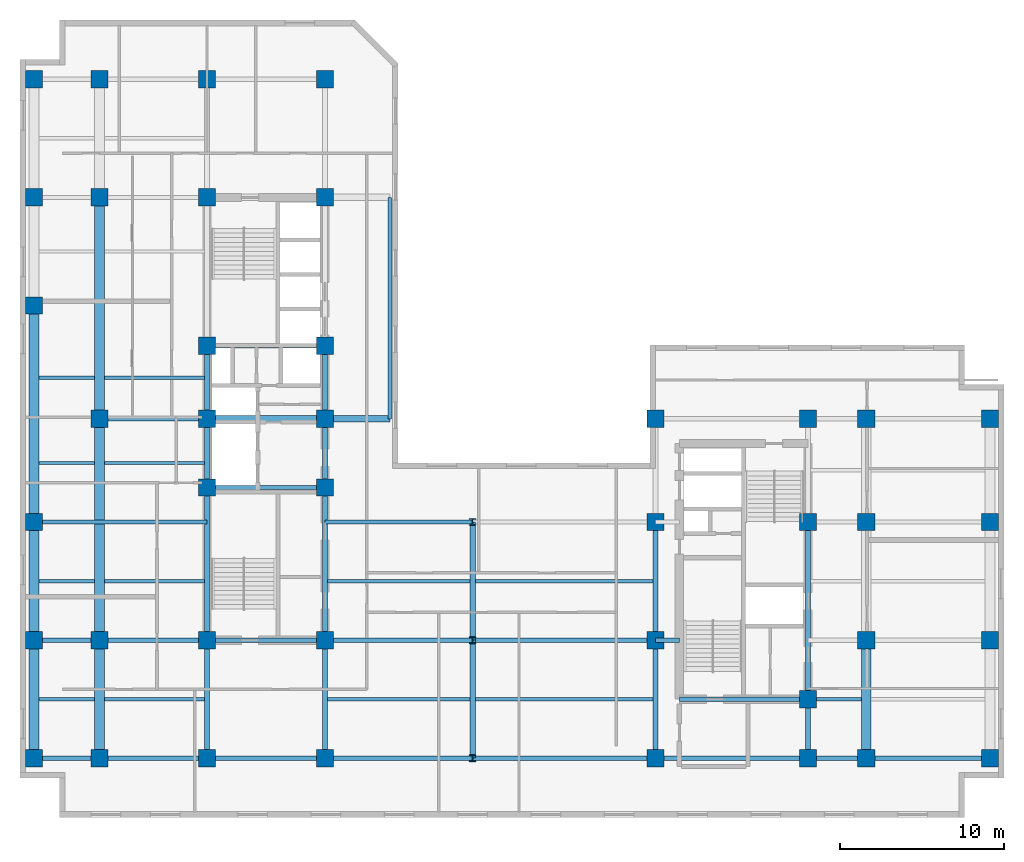
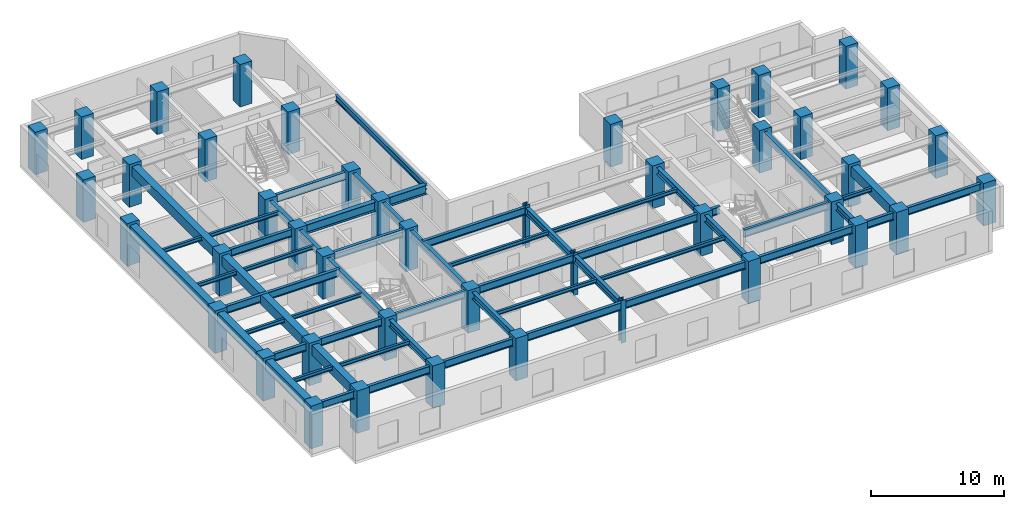
# One storey, part 1 of 10: 56 beams, 44 columns.
"""IFC4 building model written with IfcOpenShell, lengths in metres."""

from ifc_helpers import new_model, entity, si_unit, converted_unit, direction, frame, origin_with_axes, origin_2d_with_axis, place, context, subcontext, project, spatial, rectangle, i_section, extrude, material, material_profile, profile_set, type_object, element, save


model = new_model("IFC4")

# Units and contexts
model_context = context("Model", 3, precision=1e-05, world=origin_with_axes(), true_north=direction((0.0, 1.0)))
body_context = subcontext(model_context, "Body", "Model", "MODEL_VIEW")
ifc_project = project(units=[si_unit("LENGTHUNIT", "METRE"), si_unit("AREAUNIT", "SQUARE_METRE"), si_unit("VOLUMEUNIT", "CUBIC_METRE"), converted_unit("PLANEANGLEUNIT", "DEGREE", entity("IfcPlaneAngleMeasure", 0.017453292519943295), si_unit("PLANEANGLEUNIT", "RADIAN"), dimensions=[0, 0, 0, 0, 0, 0, 0]), si_unit("MASSUNIT", "GRAM", prefix="KILO"), si_unit("THERMODYNAMICTEMPERATUREUNIT", "KELVIN")], contexts=[model_context])

# Site, building, storey
site_placement = place(None, origin_with_axes())
site = spatial("IfcSite", under=ifc_project, at=site_placement, CompositionType="ELEMENT")
building_placement = place(site_placement, origin_with_axes())
building = spatial("IfcBuilding", under=site, at=building_placement, Name="Varnlund Millrace Tower", CompositionType="ELEMENT")
storey_placement = place(building_placement, frame((0.0, 0.0, 156.3), z_axis=(0.0, 0.0, 1.0), x_axis=(1.0, 0.0, 0.0)))
storey = spatial("IfcBuildingStorey", under=building, at=storey_placement, Name="L38", CompositionType="ELEMENT", Elevation=156.3)

# Columns
ifc_material_1 = material(Name="Steel ASTM A913 Grade 65", Category="steel")
ifc_material_profile_1 = material_profile(ifc_material_1, i_section(OverallWidth=0.406, OverallDepth=0.416, WebThickness=0.0298, FlangeThickness=0.048, FilletRadius=0.022, at=origin_2d_with_axis()), Name="Steel ASTM A913 Grade 65")
ifc_profile_set_1 = profile_set([ifc_material_profile_1], Name="Steel ASTM A913 Grade 65")
column_type_1 = type_object("IfcColumnType", Name="Type-Col-Int-W14X257", PredefinedType="COLUMN", material=ifc_profile_set_1)
for number, where, z_axis, x_axis, name in (
    (1, (27.6, 3.6, 0.0), (0.0, 0.0, 1.0), (1.0, 0.0, 0.0), "Type-Col-Int-W14X257"),
    (2, (27.6, 10.8, 0.0), (0.0, 0.0, 1.0), (1.0, 0.0, 0.0), "Type-Col-Int-W14X257"),
    (3, (27.6, 18.0, 0.0), (0.0, 0.0, 1.0), (1.0, 0.0, 0.0), "Type-Col-Int-W14X257"),
):
    element("IfcColumn", number, at=place(storey_placement, frame(where, z_axis=z_axis, x_axis=x_axis)), inside=storey, type_object=column_type_1, Name=name, PredefinedType="COLUMN", context=body_context, shape_type="SweptSolid", body=[
        extrude(i_section(OverallWidth=0.406, OverallDepth=0.416, WebThickness=0.0298, FlangeThickness=0.048, FilletRadius=0.022, at=origin_2d_with_axis()), origin_with_axes(), (0.0, 0.0, 1.0), 3.9),
    ])
ifc_material_2 = material(Name="Concrete C70/85", Category="concrete")
ifc_material_profile_2 = material_profile(ifc_material_2, rectangle(XDim=1.05, YDim=1.05, at=origin_2d_with_axis()), Name="Concrete C70/85")
ifc_profile_set_2 = profile_set([ifc_material_profile_2], Name="Concrete C70/85")
column_type_2 = type_object("IfcColumnType", Name="Type-Col-RC1050-C70", PredefinedType="COLUMN", material=ifc_profile_set_2)
for number, where, z_axis, x_axis, name in (
    (4, (11.4, 3.6, 0.0), (0.0, 0.0, 1.0), (1.0, 0.0, 0.0), "Type-Col-RC1050-C70"),
    (5, (11.4, 10.8, 0.0), (0.0, 0.0, 1.0), (1.0, 0.0, 0.0), "Type-Col-RC1050-C70"),
    (6, (11.4, 20.1, 0.0), (0.0, 0.0, 1.0), (1.0, 0.0, 0.0), "Type-Col-RC1050-C70"),
    (7, (11.4, 24.3, 0.0), (0.0, 0.0, 1.0), (1.0, 0.0, 0.0), "Type-Col-RC1050-C70"),
    (8, (11.4, 28.75, 0.0), (0.0, 0.0, 1.0), (1.0, 0.0, 0.0), "Type-Col-RC1050-C70"),
    (9, (11.4, 37.8, 0.0), (0.0, 0.0, 1.0), (1.0, 0.0, 0.0), "Type-Col-RC1050-C70"),
    (10, (11.4, 45.0, 0.0), (0.0, 0.0, 1.0), (1.0, 0.0, 0.0), "Type-Col-RC1050-C70"),
    (11, (18.6, 3.6, 0.0), (0.0, 0.0, 1.0), (1.0, 0.0, 0.0), "Type-Col-RC1050-C70"),
    (12, (18.6, 10.8, 0.0), (0.0, 0.0, 1.0), (1.0, 0.0, 0.0), "Type-Col-RC1050-C70"),
    (13, (18.6, 20.1, 0.0), (0.0, 0.0, 1.0), (1.0, 0.0, 0.0), "Type-Col-RC1050-C70"),
    (14, (18.6, 24.3, 0.0), (0.0, 0.0, 1.0), (1.0, 0.0, 0.0), "Type-Col-RC1050-C70"),
    (15, (18.6, 28.75, 0.0), (0.0, 0.0, 1.0), (1.0, 0.0, 0.0), "Type-Col-RC1050-C70"),
    (16, (18.6, 37.8, 0.0), (0.0, 0.0, 1.0), (1.0, 0.0, 0.0), "Type-Col-RC1050-C70"),
    (17, (18.6, 45.0, 0.0), (0.0, 0.0, 1.0), (1.0, 0.0, 0.0), "Type-Col-RC1050-C70"),
    (18, (4.85, 3.6, 0.0), (0.0, 0.0, 1.0), (1.0, 0.0, 0.0), "Type-Col-RC1050-C70"),
    (19, (4.85, 10.8, 0.0), (0.0, 0.0, 1.0), (1.0, 0.0, 0.0), "Type-Col-RC1050-C70"),
    (20, (4.85, 24.3, 0.0), (0.0, 0.0, 1.0), (1.0, 0.0, 0.0), "Type-Col-RC1050-C70"),
    (21, (4.85, 37.8, 0.0), (0.0, 0.0, 1.0), (1.0, 0.0, 0.0), "Type-Col-RC1050-C70"),
    (22, (4.85, 45.0, 0.0), (0.0, 0.0, 1.0), (1.0, 0.0, 0.0), "Type-Col-RC1050-C70"),
    (23, (0.85, 3.6, 0.0), (0.0, 0.0, 1.0), (1.0, 0.0, 0.0), "Type-Col-RC1050-C70"),
    (24, (0.85, 10.8, 0.0), (0.0, 0.0, 1.0), (1.0, 0.0, 0.0), "Type-Col-RC1050-C70"),
    (25, (0.85, 18.0, 0.0), (0.0, 0.0, 1.0), (1.0, 0.0, 0.0), "Type-Col-RC1050-C70"),
    (26, (0.85, 31.2, 0.0), (0.0, 0.0, 1.0), (1.0, 0.0, 0.0), "Type-Col-RC1050-C70"),
    (27, (0.85, 37.8, 0.0), (0.0, 0.0, 1.0), (1.0, 0.0, 0.0), "Type-Col-RC1050-C70"),
    (28, (0.85, 45.0, 0.0), (0.0, 0.0, 1.0), (1.0, 0.0, 0.0), "Type-Col-RC1050-C70"),
    (29, (38.75, 3.6, 0.0), (0.0, 0.0, 1.0), (1.0, 0.0, 0.0), "Type-Col-RC1050-C70"),
    (30, (38.75, 10.8, 0.0), (0.0, 0.0, 1.0), (1.0, 0.0, 0.0), "Type-Col-RC1050-C70"),
    (31, (38.75, 18.0, 0.0), (0.0, 0.0, 1.0), (1.0, 0.0, 0.0), "Type-Col-RC1050-C70"),
    (32, (38.75, 24.3, 0.0), (0.0, 0.0, 1.0), (1.0, 0.0, 0.0), "Type-Col-RC1050-C70"),
    (33, (48.05, 3.6, 0.0), (0.0, 0.0, 1.0), (1.0, 0.0, 0.0), "Type-Col-RC1050-C70"),
    (34, (48.05, 7.2, 0.0), (0.0, 0.0, 1.0), (1.0, 0.0, 0.0), "Type-Col-RC1050-C70"),
    (35, (48.05, 18.0, 0.0), (0.0, 0.0, 1.0), (1.0, 0.0, 0.0), "Type-Col-RC1050-C70"),
    (36, (48.05, 24.3, 0.0), (0.0, 0.0, 1.0), (1.0, 0.0, 0.0), "Type-Col-RC1050-C70"),
    (37, (51.6, 3.6, 0.0), (0.0, 0.0, 1.0), (1.0, 0.0, 0.0), "Type-Col-RC1050-C70"),
    (38, (51.6, 10.8, 0.0), (0.0, 0.0, 1.0), (1.0, 0.0, 0.0), "Type-Col-RC1050-C70"),
    (39, (51.6, 18.0, 0.0), (0.0, 0.0, 1.0), (1.0, 0.0, 0.0), "Type-Col-RC1050-C70"),
    (40, (51.6, 24.3, 0.0), (0.0, 0.0, 1.0), (1.0, 0.0, 0.0), "Type-Col-RC1050-C70"),
    (41, (59.15, 3.6, 0.0), (0.0, 0.0, 1.0), (1.0, 0.0, 0.0), "Type-Col-RC1050-C70"),
    (42, (59.15, 10.8, 0.0), (0.0, 0.0, 1.0), (1.0, 0.0, 0.0), "Type-Col-RC1050-C70"),
    (43, (59.15, 18.0, 0.0), (0.0, 0.0, 1.0), (1.0, 0.0, 0.0), "Type-Col-RC1050-C70"),
    (44, (59.15, 24.3, 0.0), (0.0, 0.0, 1.0), (1.0, 0.0, 0.0), "Type-Col-RC1050-C70"),
):
    element("IfcColumn", number, at=place(storey_placement, frame(where, z_axis=z_axis, x_axis=x_axis)), inside=storey, type_object=column_type_2, Name=name, PredefinedType="COLUMN", context=body_context, shape_type="SweptSolid", body=[
        extrude(rectangle(XDim=1.05, YDim=1.05, at=origin_2d_with_axis()), origin_with_axes(), (0.0, 0.0, 1.0), 3.9),
    ])

# Beams
ifc_material_3 = material(Name="Steel ASTM A992 Grade 50", Category="steel")
ifc_material_profile_3 = material_profile(ifc_material_3, i_section(OverallWidth=0.209, OverallDepth=0.533, WebThickness=0.0102, FlangeThickness=0.0156, FilletRadius=0.014, at=origin_2d_with_axis()), Name="Steel ASTM A992 Grade 50")
ifc_profile_set_3 = profile_set([ifc_material_profile_3], Name="Steel ASTM A992 Grade 50")
beam_type_1 = type_object("IfcBeamType", Name="Type-Beam-W21X62", PredefinedType="BEAM", material=ifc_profile_set_3)
beam_1_placement = place(storey_placement, frame((22.55, 24.3, 3.3935), z_axis=(0.0, 1.0, 0.0), x_axis=(-1.0, 0.0, 0.0)))
element("IfcBeam", 45, at=beam_1_placement, inside=storey, type_object=beam_type_1, Name="Type-Beam-W21X62", PredefinedType="BEAM", context=body_context, shape_type="SweptSolid", body=[
    extrude(i_section(OverallWidth=0.209, OverallDepth=0.533, WebThickness=0.0102, FlangeThickness=0.0156, FilletRadius=0.014, at=origin_2d_with_axis()), origin_with_axes(), (0.0, 0.0, 1.0), 13.5),
])
ifc_material_profile_4 = material_profile(ifc_material_3, i_section(OverallWidth=0.328, OverallDepth=0.628, WebThickness=0.0165, FlangeThickness=0.0277, FilletRadius=0.018, at=origin_2d_with_axis()), Name="Steel ASTM A992 Grade 50")
ifc_profile_set_4 = profile_set([ifc_material_profile_4], Name="Steel ASTM A992 Grade 50")
beam_type_2 = type_object("IfcBeamType", Name="Type-Girder-W24X146", PredefinedType="USERDEFINED", material=ifc_profile_set_4)
beam_2_placement = place(storey_placement, frame((11.4, 3.6, 3.346), z_axis=(0.0, 1.0, 0.0), x_axis=(-1.0, 0.0, 0.0)))
element("IfcBeam", 46, at=beam_2_placement, inside=storey, type_object=beam_type_2, Name="Type-Girder-W24X146", ObjectType="GIRDER", PredefinedType="USERDEFINED", context=body_context, shape_type="SweptSolid", body=[
    extrude(i_section(OverallWidth=0.328, OverallDepth=0.628, WebThickness=0.0165, FlangeThickness=0.0277, FilletRadius=0.018, at=origin_2d_with_axis()), origin_with_axes(), (0.0, 0.0, 1.0), 7.2),
])
beam_3_placement = place(storey_placement, frame((11.4, 10.8, 3.346), z_axis=(0.0, 1.0, 0.0), x_axis=(-1.0, 0.0, 0.0)))
element("IfcBeam", 47, at=beam_3_placement, inside=storey, type_object=beam_type_2, Name="Type-Girder-W24X146", ObjectType="GIRDER", PredefinedType="USERDEFINED", context=body_context, shape_type="SweptSolid", body=[
    extrude(i_section(OverallWidth=0.328, OverallDepth=0.628, WebThickness=0.0165, FlangeThickness=0.0277, FilletRadius=0.018, at=origin_2d_with_axis()), origin_with_axes(), (0.0, 0.0, 1.0), 9.3),
])
beam_4_placement = place(storey_placement, frame((11.4, 20.1, 3.346), z_axis=(0.0, 1.0, 0.0), x_axis=(-1.0, 0.0, 0.0)))
element("IfcBeam", 48, at=beam_4_placement, inside=storey, type_object=beam_type_2, Name="Type-Girder-W24X146", ObjectType="GIRDER", PredefinedType="USERDEFINED", context=body_context, shape_type="SweptSolid", body=[
    extrude(i_section(OverallWidth=0.328, OverallDepth=0.628, WebThickness=0.0165, FlangeThickness=0.0277, FilletRadius=0.018, at=origin_2d_with_axis()), origin_with_axes(), (0.0, 0.0, 1.0), 4.2),
])
beam_5_placement = place(storey_placement, frame((11.4, 24.3, 3.346), z_axis=(0.0, 1.0, 0.0), x_axis=(-1.0, 0.0, 0.0)))
element("IfcBeam", 49, at=beam_5_placement, inside=storey, type_object=beam_type_2, Name="Type-Girder-W24X146", ObjectType="GIRDER", PredefinedType="USERDEFINED", context=body_context, shape_type="SweptSolid", body=[
    extrude(i_section(OverallWidth=0.328, OverallDepth=0.628, WebThickness=0.0165, FlangeThickness=0.0277, FilletRadius=0.018, at=origin_2d_with_axis()), origin_with_axes(), (0.0, 0.0, 1.0), 4.45),
])
beam_6_placement = place(storey_placement, frame((18.6, 3.6, 3.346), z_axis=(0.0, 1.0, 0.0), x_axis=(-1.0, 0.0, 0.0)))
element("IfcBeam", 50, at=beam_6_placement, inside=storey, type_object=beam_type_2, Name="Type-Girder-W24X146", ObjectType="GIRDER", PredefinedType="USERDEFINED", context=body_context, shape_type="SweptSolid", body=[
    extrude(i_section(OverallWidth=0.328, OverallDepth=0.628, WebThickness=0.0165, FlangeThickness=0.0277, FilletRadius=0.018, at=origin_2d_with_axis()), origin_with_axes(), (0.0, 0.0, 1.0), 7.2),
])
beam_7_placement = place(storey_placement, frame((18.6, 10.8, 3.346), z_axis=(0.0, 1.0, 0.0), x_axis=(-1.0, 0.0, 0.0)))
element("IfcBeam", 51, at=beam_7_placement, inside=storey, type_object=beam_type_2, Name="Type-Girder-W24X146", ObjectType="GIRDER", PredefinedType="USERDEFINED", context=body_context, shape_type="SweptSolid", body=[
    extrude(i_section(OverallWidth=0.328, OverallDepth=0.628, WebThickness=0.0165, FlangeThickness=0.0277, FilletRadius=0.018, at=origin_2d_with_axis()), origin_with_axes(), (0.0, 0.0, 1.0), 9.3),
])
beam_8_placement = place(storey_placement, frame((18.6, 20.1, 3.346), z_axis=(0.0, 1.0, 0.0), x_axis=(-1.0, 0.0, 0.0)))
element("IfcBeam", 52, at=beam_8_placement, inside=storey, type_object=beam_type_2, Name="Type-Girder-W24X146", ObjectType="GIRDER", PredefinedType="USERDEFINED", context=body_context, shape_type="SweptSolid", body=[
    extrude(i_section(OverallWidth=0.328, OverallDepth=0.628, WebThickness=0.0165, FlangeThickness=0.0277, FilletRadius=0.018, at=origin_2d_with_axis()), origin_with_axes(), (0.0, 0.0, 1.0), 4.2),
])
beam_9_placement = place(storey_placement, frame((18.6, 24.3, 3.346), z_axis=(0.0, 1.0, 0.0), x_axis=(-1.0, 0.0, 0.0)))
element("IfcBeam", 53, at=beam_9_placement, inside=storey, type_object=beam_type_2, Name="Type-Girder-W24X146", ObjectType="GIRDER", PredefinedType="USERDEFINED", context=body_context, shape_type="SweptSolid", body=[
    extrude(i_section(OverallWidth=0.328, OverallDepth=0.628, WebThickness=0.0165, FlangeThickness=0.0277, FilletRadius=0.018, at=origin_2d_with_axis()), origin_with_axes(), (0.0, 0.0, 1.0), 4.45),
])
for number, where, z_axis, x_axis, name in (
    (54, (27.6, 3.6, 3.346), (0.0, 1.0, 0.0), (-1.0, 0.0, 0.0), "Type-Girder-W24X146"),
    (55, (27.6, 10.8, 3.346), (0.0, 1.0, 0.0), (-1.0, 0.0, 0.0), "Type-Girder-W24X146"),
    (56, (38.75, 3.6, 3.346), (0.0, 1.0, 0.0), (-1.0, 0.0, 0.0), "Type-Girder-W24X146"),
    (57, (38.75, 10.8, 3.346), (0.0, 1.0, 0.0), (-1.0, 0.0, 0.0), "Type-Girder-W24X146"),
):
    element("IfcBeam", number, at=place(storey_placement, frame(where, z_axis=z_axis, x_axis=x_axis)), inside=storey, type_object=beam_type_2, Name=name, ObjectType="GIRDER", PredefinedType="USERDEFINED", context=body_context, shape_type="SweptSolid", body=[
        extrude(i_section(OverallWidth=0.328, OverallDepth=0.628, WebThickness=0.0165, FlangeThickness=0.0277, FilletRadius=0.018, at=origin_2d_with_axis()), origin_with_axes(), (0.0, 0.0, 1.0), 7.2),
    ])
beam_10_placement = place(storey_placement, frame((48.05, 3.6, 3.346), z_axis=(0.0, 1.0, 0.0), x_axis=(-1.0, 0.0, 0.0)))
element("IfcBeam", 58, at=beam_10_placement, inside=storey, type_object=beam_type_2, Name="Type-Girder-W24X146", ObjectType="GIRDER", PredefinedType="USERDEFINED", context=body_context, shape_type="SweptSolid", body=[
    extrude(i_section(OverallWidth=0.328, OverallDepth=0.628, WebThickness=0.0165, FlangeThickness=0.0277, FilletRadius=0.018, at=origin_2d_with_axis()), origin_with_axes(), (0.0, 0.0, 1.0), 3.6),
])
beam_11_placement = place(storey_placement, frame((48.05, 7.2, 3.346), z_axis=(0.0, 1.0, 0.0), x_axis=(-1.0, 0.0, 0.0)))
element("IfcBeam", 59, at=beam_11_placement, inside=storey, type_object=beam_type_2, Name="Type-Girder-W24X146", ObjectType="GIRDER", PredefinedType="USERDEFINED", context=body_context, shape_type="SweptSolid", body=[
    extrude(i_section(OverallWidth=0.328, OverallDepth=0.628, WebThickness=0.0165, FlangeThickness=0.0277, FilletRadius=0.018, at=origin_2d_with_axis()), origin_with_axes(), (0.0, 0.0, 1.0), 10.8),
])
ifc_material_profile_5 = material_profile(ifc_material_3, i_section(OverallWidth=0.256, OverallDepth=0.693, WebThickness=0.0145, FlangeThickness=0.0236, FilletRadius=0.018, at=origin_2d_with_axis()), Name="Steel ASTM A992 Grade 50")
ifc_profile_set_5 = profile_set([ifc_material_profile_5], Name="Steel ASTM A992 Grade 50")
beam_type_3 = type_object("IfcBeamType", Name="Type-Girder-W27X114", PredefinedType="USERDEFINED", material=ifc_profile_set_5)
beam_12_placement = place(storey_placement, frame((0.85, 3.6, 3.3135), z_axis=(1.0, 0.0, 0.0), x_axis=(0.0, 1.0, 0.0)))
element("IfcBeam", 60, at=beam_12_placement, inside=storey, type_object=beam_type_3, Name="Type-Girder-W27X114", ObjectType="GIRDER", PredefinedType="USERDEFINED", context=body_context, shape_type="SweptSolid", body=[
    extrude(i_section(OverallWidth=0.256, OverallDepth=0.693, WebThickness=0.0145, FlangeThickness=0.0236, FilletRadius=0.018, at=origin_2d_with_axis()), origin_with_axes(), (0.0, 0.0, 1.0), 4.0),
])
beam_13_placement = place(storey_placement, frame((4.85, 3.6, 3.3135), z_axis=(1.0, 0.0, 0.0), x_axis=(0.0, 1.0, 0.0)))
element("IfcBeam", 61, at=beam_13_placement, inside=storey, type_object=beam_type_3, Name="Type-Girder-W27X114", ObjectType="GIRDER", PredefinedType="USERDEFINED", context=body_context, shape_type="SweptSolid", body=[
    extrude(i_section(OverallWidth=0.256, OverallDepth=0.693, WebThickness=0.0145, FlangeThickness=0.0236, FilletRadius=0.018, at=origin_2d_with_axis()), origin_with_axes(), (0.0, 0.0, 1.0), 6.55),
])
beam_14_placement = place(storey_placement, frame((11.4, 3.6, 3.3135), z_axis=(1.0, 0.0, 0.0), x_axis=(0.0, 1.0, 0.0)))
element("IfcBeam", 62, at=beam_14_placement, inside=storey, type_object=beam_type_3, Name="Type-Girder-W27X114", ObjectType="GIRDER", PredefinedType="USERDEFINED", context=body_context, shape_type="SweptSolid", body=[
    extrude(i_section(OverallWidth=0.256, OverallDepth=0.693, WebThickness=0.0145, FlangeThickness=0.0236, FilletRadius=0.018, at=origin_2d_with_axis()), origin_with_axes(), (0.0, 0.0, 1.0), 7.2),
])
beam_15_placement = place(storey_placement, frame((18.6, 3.6, 3.3135), z_axis=(1.0, 0.0, 0.0), x_axis=(0.0, 1.0, 0.0)))
element("IfcBeam", 63, at=beam_15_placement, inside=storey, type_object=beam_type_3, Name="Type-Girder-W27X114", ObjectType="GIRDER", PredefinedType="USERDEFINED", context=body_context, shape_type="SweptSolid", body=[
    extrude(i_section(OverallWidth=0.256, OverallDepth=0.693, WebThickness=0.0145, FlangeThickness=0.0236, FilletRadius=0.018, at=origin_2d_with_axis()), origin_with_axes(), (0.0, 0.0, 1.0), 9.0),
])
beam_16_placement = place(storey_placement, frame((27.6, 3.6, 3.3135), z_axis=(1.0, 0.0, 0.0), x_axis=(0.0, 1.0, 0.0)))
element("IfcBeam", 64, at=beam_16_placement, inside=storey, type_object=beam_type_3, Name="Type-Girder-W27X114", ObjectType="GIRDER", PredefinedType="USERDEFINED", context=body_context, shape_type="SweptSolid", body=[
    extrude(i_section(OverallWidth=0.256, OverallDepth=0.693, WebThickness=0.0145, FlangeThickness=0.0236, FilletRadius=0.018, at=origin_2d_with_axis()), origin_with_axes(), (0.0, 0.0, 1.0), 11.15),
])
beam_17_placement = place(storey_placement, frame((38.75, 3.6, 3.3135), z_axis=(1.0, 0.0, 0.0), x_axis=(0.0, 1.0, 0.0)))
element("IfcBeam", 65, at=beam_17_placement, inside=storey, type_object=beam_type_3, Name="Type-Girder-W27X114", ObjectType="GIRDER", PredefinedType="USERDEFINED", context=body_context, shape_type="SweptSolid", body=[
    extrude(i_section(OverallWidth=0.256, OverallDepth=0.693, WebThickness=0.0145, FlangeThickness=0.0236, FilletRadius=0.018, at=origin_2d_with_axis()), origin_with_axes(), (0.0, 0.0, 1.0), 9.3),
])
beam_18_placement = place(storey_placement, frame((48.05, 3.6, 3.3135), z_axis=(1.0, 0.0, 0.0), x_axis=(0.0, 1.0, 0.0)))
element("IfcBeam", 66, at=beam_18_placement, inside=storey, type_object=beam_type_3, Name="Type-Girder-W27X114", ObjectType="GIRDER", PredefinedType="USERDEFINED", context=body_context, shape_type="SweptSolid", body=[
    extrude(i_section(OverallWidth=0.256, OverallDepth=0.693, WebThickness=0.0145, FlangeThickness=0.0236, FilletRadius=0.018, at=origin_2d_with_axis()), origin_with_axes(), (0.0, 0.0, 1.0), 3.55),
])
beam_19_placement = place(storey_placement, frame((51.6, 3.6, 3.3135), z_axis=(1.0, 0.0, 0.0), x_axis=(0.0, 1.0, 0.0)))
element("IfcBeam", 67, at=beam_19_placement, inside=storey, type_object=beam_type_3, Name="Type-Girder-W27X114", ObjectType="GIRDER", PredefinedType="USERDEFINED", context=body_context, shape_type="SweptSolid", body=[
    extrude(i_section(OverallWidth=0.256, OverallDepth=0.693, WebThickness=0.0145, FlangeThickness=0.0236, FilletRadius=0.018, at=origin_2d_with_axis()), origin_with_axes(), (0.0, 0.0, 1.0), 7.55),
])
beam_20_placement = place(storey_placement, frame((40.2, 7.2, 3.3135), z_axis=(1.0, 0.0, 0.0), x_axis=(0.0, 1.0, 0.0)))
element("IfcBeam", 68, at=beam_20_placement, inside=storey, type_object=beam_type_3, Name="Type-Girder-W27X114", ObjectType="GIRDER", PredefinedType="USERDEFINED", context=body_context, shape_type="SweptSolid", body=[
    extrude(i_section(OverallWidth=0.256, OverallDepth=0.693, WebThickness=0.0145, FlangeThickness=0.0236, FilletRadius=0.018, at=origin_2d_with_axis()), origin_with_axes(), (0.0, 0.0, 1.0), 7.85),
])
beam_21_placement = place(storey_placement, frame((0.85, 10.8, 3.3135), z_axis=(1.0, 0.0, 0.0), x_axis=(0.0, 1.0, 0.0)))
element("IfcBeam", 69, at=beam_21_placement, inside=storey, type_object=beam_type_3, Name="Type-Girder-W27X114", ObjectType="GIRDER", PredefinedType="USERDEFINED", context=body_context, shape_type="SweptSolid", body=[
    extrude(i_section(OverallWidth=0.256, OverallDepth=0.693, WebThickness=0.0145, FlangeThickness=0.0236, FilletRadius=0.018, at=origin_2d_with_axis()), origin_with_axes(), (0.0, 0.0, 1.0), 4.0),
])
beam_22_placement = place(storey_placement, frame((4.85, 10.8, 3.3135), z_axis=(1.0, 0.0, 0.0), x_axis=(0.0, 1.0, 0.0)))
element("IfcBeam", 70, at=beam_22_placement, inside=storey, type_object=beam_type_3, Name="Type-Girder-W27X114", ObjectType="GIRDER", PredefinedType="USERDEFINED", context=body_context, shape_type="SweptSolid", body=[
    extrude(i_section(OverallWidth=0.256, OverallDepth=0.693, WebThickness=0.0145, FlangeThickness=0.0236, FilletRadius=0.018, at=origin_2d_with_axis()), origin_with_axes(), (0.0, 0.0, 1.0), 6.55),
])
beam_23_placement = place(storey_placement, frame((11.4, 10.8, 3.3135), z_axis=(1.0, 0.0, 0.0), x_axis=(0.0, 1.0, 0.0)))
element("IfcBeam", 71, at=beam_23_placement, inside=storey, type_object=beam_type_3, Name="Type-Girder-W27X114", ObjectType="GIRDER", PredefinedType="USERDEFINED", context=body_context, shape_type="SweptSolid", body=[
    extrude(i_section(OverallWidth=0.256, OverallDepth=0.693, WebThickness=0.0145, FlangeThickness=0.0236, FilletRadius=0.018, at=origin_2d_with_axis()), origin_with_axes(), (0.0, 0.0, 1.0), 7.2),
])
beam_24_placement = place(storey_placement, frame((18.6, 10.8, 3.3135), z_axis=(1.0, 0.0, 0.0), x_axis=(0.0, 1.0, 0.0)))
element("IfcBeam", 72, at=beam_24_placement, inside=storey, type_object=beam_type_3, Name="Type-Girder-W27X114", ObjectType="GIRDER", PredefinedType="USERDEFINED", context=body_context, shape_type="SweptSolid", body=[
    extrude(i_section(OverallWidth=0.256, OverallDepth=0.693, WebThickness=0.0145, FlangeThickness=0.0236, FilletRadius=0.018, at=origin_2d_with_axis()), origin_with_axes(), (0.0, 0.0, 1.0), 9.0),
])
beam_25_placement = place(storey_placement, frame((27.6, 10.8, 3.3135), z_axis=(1.0, 0.0, 0.0), x_axis=(0.0, 1.0, 0.0)))
element("IfcBeam", 73, at=beam_25_placement, inside=storey, type_object=beam_type_3, Name="Type-Girder-W27X114", ObjectType="GIRDER", PredefinedType="USERDEFINED", context=body_context, shape_type="SweptSolid", body=[
    extrude(i_section(OverallWidth=0.256, OverallDepth=0.693, WebThickness=0.0145, FlangeThickness=0.0236, FilletRadius=0.018, at=origin_2d_with_axis()), origin_with_axes(), (0.0, 0.0, 1.0), 11.15),
])
beam_26_placement = place(storey_placement, frame((38.75, 10.8, 3.3135), z_axis=(1.0, 0.0, 0.0), x_axis=(0.0, 1.0, 0.0)))
element("IfcBeam", 74, at=beam_26_placement, inside=storey, type_object=beam_type_3, Name="Type-Girder-W27X114", ObjectType="GIRDER", PredefinedType="USERDEFINED", context=body_context, shape_type="SweptSolid", body=[
    extrude(i_section(OverallWidth=0.256, OverallDepth=0.693, WebThickness=0.0145, FlangeThickness=0.0236, FilletRadius=0.018, at=origin_2d_with_axis()), origin_with_axes(), (0.0, 0.0, 1.0), 1.45),
])
beam_27_placement = place(storey_placement, frame((0.85, 18.0, 3.3135), z_axis=(1.0, 0.0, 0.0), x_axis=(0.0, 1.0, 0.0)))
element("IfcBeam", 75, at=beam_27_placement, inside=storey, type_object=beam_type_3, Name="Type-Girder-W27X114", ObjectType="GIRDER", PredefinedType="USERDEFINED", context=body_context, shape_type="SweptSolid", body=[
    extrude(i_section(OverallWidth=0.256, OverallDepth=0.693, WebThickness=0.0145, FlangeThickness=0.0236, FilletRadius=0.018, at=origin_2d_with_axis()), origin_with_axes(), (0.0, 0.0, 1.0), 10.55),
])
beam_28_placement = place(storey_placement, frame((18.6, 18.0, 3.3135), z_axis=(1.0, 0.0, 0.0), x_axis=(0.0, 1.0, 0.0)))
element("IfcBeam", 76, at=beam_28_placement, inside=storey, type_object=beam_type_3, Name="Type-Girder-W27X114", ObjectType="GIRDER", PredefinedType="USERDEFINED", context=body_context, shape_type="SweptSolid", body=[
    extrude(i_section(OverallWidth=0.256, OverallDepth=0.693, WebThickness=0.0145, FlangeThickness=0.0236, FilletRadius=0.018, at=origin_2d_with_axis()), origin_with_axes(), (0.0, 0.0, 1.0), 9.0),
])
beam_29_placement = place(storey_placement, frame((11.4, 20.1, 3.3135), z_axis=(1.0, 0.0, 0.0), x_axis=(0.0, 1.0, 0.0)))
element("IfcBeam", 77, at=beam_29_placement, inside=storey, type_object=beam_type_3, Name="Type-Girder-W27X114", ObjectType="GIRDER", PredefinedType="USERDEFINED", context=body_context, shape_type="SweptSolid", body=[
    extrude(i_section(OverallWidth=0.256, OverallDepth=0.693, WebThickness=0.0145, FlangeThickness=0.0236, FilletRadius=0.018, at=origin_2d_with_axis()), origin_with_axes(), (0.0, 0.0, 1.0), 7.2),
])
beam_30_placement = place(storey_placement, frame((4.85, 24.3, 3.3135), z_axis=(1.0, 0.0, 0.0), x_axis=(0.0, 1.0, 0.0)))
element("IfcBeam", 78, at=beam_30_placement, inside=storey, type_object=beam_type_3, Name="Type-Girder-W27X114", ObjectType="GIRDER", PredefinedType="USERDEFINED", context=body_context, shape_type="SweptSolid", body=[
    extrude(i_section(OverallWidth=0.256, OverallDepth=0.693, WebThickness=0.0145, FlangeThickness=0.0236, FilletRadius=0.018, at=origin_2d_with_axis()), origin_with_axes(), (0.0, 0.0, 1.0), 6.55),
])
beam_31_placement = place(storey_placement, frame((11.4, 28.75, 3.3135), z_axis=(1.0, 0.0, 0.0), x_axis=(0.0, 1.0, 0.0)))
element("IfcBeam", 79, at=beam_31_placement, inside=storey, type_object=beam_type_3, Name="Type-Girder-W27X114", ObjectType="GIRDER", PredefinedType="USERDEFINED", context=body_context, shape_type="SweptSolid", body=[
    extrude(i_section(OverallWidth=0.256, OverallDepth=0.693, WebThickness=0.0145, FlangeThickness=0.0236, FilletRadius=0.018, at=origin_2d_with_axis()), origin_with_axes(), (0.0, 0.0, 1.0), 7.2),
])
ifc_material_profile_6 = material_profile(ifc_material_3, i_section(OverallWidth=0.399, OverallDepth=0.855, WebThickness=0.0182, FlangeThickness=0.0292, FilletRadius=0.022, at=origin_2d_with_axis()), Name="Steel ASTM A992 Grade 50")
ifc_profile_set_6 = profile_set([ifc_material_profile_6], Name="Steel ASTM A992 Grade 50")
beam_type_4 = type_object("IfcBeamType", Name="Type-Girder-W33X201", PredefinedType="USERDEFINED", material=ifc_profile_set_6)
beam_32_placement = place(storey_placement, frame((11.4, 24.3, 3.2325), z_axis=(1.0, 0.0, 0.0), x_axis=(0.0, 1.0, 0.0)))
element("IfcBeam", 80, at=beam_32_placement, inside=storey, type_object=beam_type_4, Name="Type-Girder-W33X201", ObjectType="GIRDER", PredefinedType="USERDEFINED", context=body_context, shape_type="SweptSolid", body=[
    extrude(i_section(OverallWidth=0.399, OverallDepth=0.855, WebThickness=0.0182, FlangeThickness=0.0292, FilletRadius=0.022, at=origin_2d_with_axis()), origin_with_axes(), (0.0, 0.0, 1.0), 11.15),
])
ifc_material_profile_7 = material_profile(ifc_material_3, i_section(OverallWidth=0.204, OverallDepth=0.35, WebThickness=0.0086, FlangeThickness=0.0151, FilletRadius=0.013, at=origin_2d_with_axis()), Name="Steel ASTM A992 Grade 50")
ifc_profile_set_7 = profile_set([ifc_material_profile_7], Name="Steel ASTM A992 Grade 50")
beam_type_5 = type_object("IfcBeamType", Name="Type-Joist-W14X48", PredefinedType="JOIST", material=ifc_profile_set_7)
for number, where, z_axis, x_axis, name in (
    (81, (1.15, 7.2, 3.485), (1.0, 0.0, 0.0), (0.0, 1.0, 0.0), "Type-Joist-W14X48"),
    (82, (1.15, 14.4, 3.485), (1.0, 0.0, 0.0), (0.0, 1.0, 0.0), "Type-Joist-W14X48"),
    (83, (1.15, 21.6, 3.485), (1.0, 0.0, 0.0), (0.0, 1.0, 0.0), "Type-Joist-W14X48"),
    (84, (1.15, 26.8, 3.485), (1.0, 0.0, 0.0), (0.0, 1.0, 0.0), "Type-Joist-W14X48"),
):
    element("IfcBeam", number, at=place(storey_placement, frame(where, z_axis=z_axis, x_axis=x_axis)), inside=storey, type_object=beam_type_5, Name=name, PredefinedType="JOIST", context=body_context, shape_type="SweptSolid", body=[
        extrude(i_section(OverallWidth=0.204, OverallDepth=0.35, WebThickness=0.0086, FlangeThickness=0.0151, FilletRadius=0.013, at=origin_2d_with_axis()), origin_with_axes(), (0.0, 0.0, 1.0), 3.4),
    ])
for number, where, z_axis, x_axis, name in (
    (85, (5.15, 7.2, 3.485), (1.0, 0.0, 0.0), (0.0, 1.0, 0.0), "Type-Joist-W14X48"),
    (86, (5.15, 14.4, 3.485), (1.0, 0.0, 0.0), (0.0, 1.0, 0.0), "Type-Joist-W14X48"),
    (87, (5.15, 21.6, 3.485), (1.0, 0.0, 0.0), (0.0, 1.0, 0.0), "Type-Joist-W14X48"),
    (88, (5.15, 26.8, 3.485), (1.0, 0.0, 0.0), (0.0, 1.0, 0.0), "Type-Joist-W14X48"),
):
    element("IfcBeam", number, at=place(storey_placement, frame(where, z_axis=z_axis, x_axis=x_axis)), inside=storey, type_object=beam_type_5, Name=name, PredefinedType="JOIST", context=body_context, shape_type="SweptSolid", body=[
        extrude(i_section(OverallWidth=0.204, OverallDepth=0.35, WebThickness=0.0086, FlangeThickness=0.0151, FilletRadius=0.013, at=origin_2d_with_axis()), origin_with_axes(), (0.0, 0.0, 1.0), 6.086),
    ])
beam_33_placement = place(storey_placement, frame((48.214, 7.2, 3.485), z_axis=(1.0, 0.0, 0.0), x_axis=(0.0, 1.0, 0.0)))
element("IfcBeam", 89, at=beam_33_placement, inside=storey, type_object=beam_type_5, Name="Type-Joist-W14X48", PredefinedType="JOIST", context=body_context, shape_type="SweptSolid", body=[
    extrude(i_section(OverallWidth=0.204, OverallDepth=0.35, WebThickness=0.0086, FlangeThickness=0.0151, FilletRadius=0.013, at=origin_2d_with_axis()), origin_with_axes(), (0.0, 0.0, 1.0), 3.086),
])
for number, where, z_axis, x_axis, name in (
    (90, (18.764, 7.2, 3.485), (1.0, 0.0, 0.0), (0.0, 1.0, 0.0), "Type-Joist-W14X48"),
    (91, (18.764, 14.4, 3.485), (1.0, 0.0, 0.0), (0.0, 1.0, 0.0), "Type-Joist-W14X48"),
):
    element("IfcBeam", number, at=place(storey_placement, frame(where, z_axis=z_axis, x_axis=x_axis)), inside=storey, type_object=beam_type_5, Name=name, PredefinedType="JOIST", context=body_context, shape_type="SweptSolid", body=[
        extrude(i_section(OverallWidth=0.204, OverallDepth=0.35, WebThickness=0.0086, FlangeThickness=0.0151, FilletRadius=0.013, at=origin_2d_with_axis()), origin_with_axes(), (0.0, 0.0, 1.0), 8.672),
    ])
for number, where, z_axis, x_axis, name in (
    (92, (27.764, 7.2, 3.485), (1.0, 0.0, 0.0), (0.0, 1.0, 0.0), "Type-Joist-W14X48"),
    (93, (27.764, 14.4, 3.485), (1.0, 0.0, 0.0), (0.0, 1.0, 0.0), "Type-Joist-W14X48"),
):
    element("IfcBeam", number, at=place(storey_placement, frame(where, z_axis=z_axis, x_axis=x_axis)), inside=storey, type_object=beam_type_5, Name=name, PredefinedType="JOIST", context=body_context, shape_type="SweptSolid", body=[
        extrude(i_section(OverallWidth=0.204, OverallDepth=0.35, WebThickness=0.0086, FlangeThickness=0.0151, FilletRadius=0.013, at=origin_2d_with_axis()), origin_with_axes(), (0.0, 0.0, 1.0), 10.822),
    ])
ifc_material_profile_8 = material_profile(ifc_material_2, rectangle(XDim=0.6, YDim=0.9, at=origin_2d_with_axis()), Name="Concrete C70/85")
ifc_profile_set_8 = profile_set([ifc_material_profile_8], Name="Concrete C70/85")
beam_type_6 = type_object("IfcBeamType", Name="Type-Spandrel-RC600X900", PredefinedType="SPANDREL", material=ifc_profile_set_8)
for number, where, z_axis, x_axis, name in (
    (94, (0.85, 3.6, 3.21), (0.0, 1.0, 0.0), (-1.0, 0.0, 0.0), "Type-Spandrel-RC600X900"),
    (95, (0.85, 10.8, 3.21), (0.0, 1.0, 0.0), (-1.0, 0.0, 0.0), "Type-Spandrel-RC600X900"),
):
    element("IfcBeam", number, at=place(storey_placement, frame(where, z_axis=z_axis, x_axis=x_axis)), inside=storey, type_object=beam_type_6, Name=name, PredefinedType="SPANDREL", context=body_context, shape_type="SweptSolid", body=[
        extrude(rectangle(XDim=0.6, YDim=0.9, at=origin_2d_with_axis()), origin_with_axes(), (0.0, 0.0, 1.0), 7.2),
    ])
beam_34_placement = place(storey_placement, frame((0.85, 18.0, 3.21), z_axis=(0.0, 1.0, 0.0), x_axis=(-1.0, 0.0, 0.0)))
element("IfcBeam", 96, at=beam_34_placement, inside=storey, type_object=beam_type_6, Name="Type-Spandrel-RC600X900", PredefinedType="SPANDREL", context=body_context, shape_type="SweptSolid", body=[
    extrude(rectangle(XDim=0.6, YDim=0.9, at=origin_2d_with_axis()), origin_with_axes(), (0.0, 0.0, 1.0), 13.2),
])
beam_35_placement = place(storey_placement, frame((4.85, 3.6, 3.21), z_axis=(0.0, 1.0, 0.0), x_axis=(-1.0, 0.0, 0.0)))
element("IfcBeam", 97, at=beam_35_placement, inside=storey, type_object=beam_type_6, Name="Type-Spandrel-RC600X900", PredefinedType="SPANDREL", context=body_context, shape_type="SweptSolid", body=[
    extrude(rectangle(XDim=0.6, YDim=0.9, at=origin_2d_with_axis()), origin_with_axes(), (0.0, 0.0, 1.0), 7.2),
])
for number, where, z_axis, x_axis, name in (
    (98, (4.85, 10.8, 3.21), (0.0, 1.0, 0.0), (-1.0, 0.0, 0.0), "Type-Spandrel-RC600X900"),
    (99, (4.85, 24.3, 3.21), (0.0, 1.0, 0.0), (-1.0, 0.0, 0.0), "Type-Spandrel-RC600X900"),
):
    element("IfcBeam", number, at=place(storey_placement, frame(where, z_axis=z_axis, x_axis=x_axis)), inside=storey, type_object=beam_type_6, Name=name, PredefinedType="SPANDREL", context=body_context, shape_type="SweptSolid", body=[
        extrude(rectangle(XDim=0.6, YDim=0.9, at=origin_2d_with_axis()), origin_with_axes(), (0.0, 0.0, 1.0), 13.5),
    ])
beam_36_placement = place(storey_placement, frame((51.6, 3.6, 3.21), z_axis=(0.0, 1.0, 0.0), x_axis=(-1.0, 0.0, 0.0)))
element("IfcBeam", 100, at=beam_36_placement, inside=storey, type_object=beam_type_6, Name="Type-Spandrel-RC600X900", PredefinedType="SPANDREL", context=body_context, shape_type="SweptSolid", body=[
    extrude(rectangle(XDim=0.6, YDim=0.9, at=origin_2d_with_axis()), origin_with_axes(), (0.0, 0.0, 1.0), 7.2),
])

save(model, "model.ifc")
